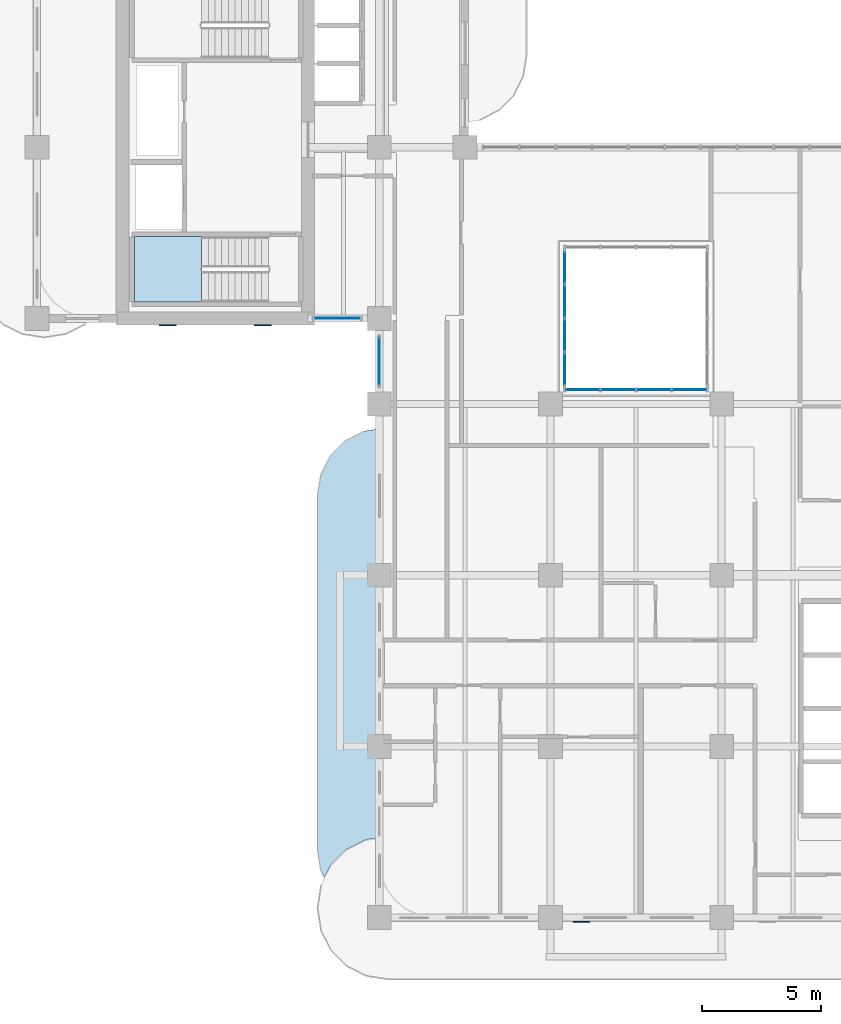
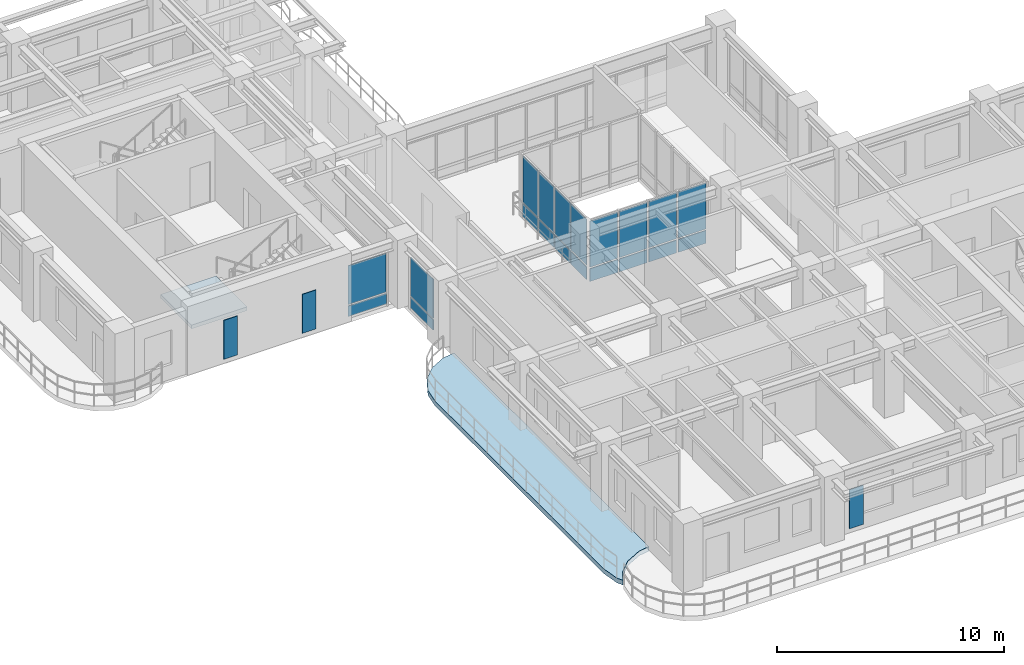
# One storey, part 7 of 20: 23 plates, 2 slabs, 5 elements without a shape of their own.
"""IFC4 building model written with IfcOpenShell, lengths in metres."""

from ifc_helpers import new_model, si_unit, derived_unit, direction, frame, origin, origin_2d, place, context, subcontext, project, spatial, polyline, rectangle, outline, extrude, source, transform, mapped, material, layer, layer_set, type_object, type_shapes, element, aggregate, save


model = new_model("IFC4")

# Units and contexts
model_context = context("Model", 3, precision=1e-05, world=origin(), true_north=direction((0.0, 1.0)))
body_context = subcontext(model_context, "Body", "Model", "MODEL_VIEW")
ifc_project = project(units=[si_unit("LENGTHUNIT", "METRE"), si_unit("AREAUNIT", "SQUARE_METRE"), si_unit("VOLUMEUNIT", "CUBIC_METRE"), si_unit("PLANEANGLEUNIT", "RADIAN"), si_unit("MASSUNIT", "GRAM", prefix="KILO"), si_unit("THERMODYNAMICTEMPERATUREUNIT", "KELVIN"), si_unit("POWERUNIT", "WATT"), derived_unit("THERMALTRANSMITTANCEUNIT", [(si_unit("POWERUNIT", "WATT"), 1), (si_unit("AREAUNIT", "SQUARE_METRE"), -1), (si_unit("THERMODYNAMICTEMPERATUREUNIT", "KELVIN"), -1)])], contexts=[model_context])

# Site, building, storey
site_placement = place(None, origin())
site = spatial("IfcSite", under=ifc_project, at=site_placement, CompositionType="ELEMENT")
building_placement = place(site_placement, origin())
building = spatial("IfcBuilding", under=site, at=building_placement, Name="Zahravan Archway Hotel and Residences", CompositionType="ELEMENT")
storey_placement = place(building_placement, frame((0.0, 0.0, 115.5)))
storey = spatial("IfcBuildingStorey", under=building, at=storey_placement, Name="L28", CompositionType="ELEMENT", Elevation=115.5)

# Slab
ifc_material_1 = material(Name="Concrete C45/55", Category="concrete")
ifc_layer_1 = layer(ifc_material_1, 0.25, Name="Concrete C45/55", Category="concrete")
ifc_layer_set_1 = layer_set([ifc_layer_1], Name="Concrete C45/55")
slab_type_1 = type_object("IfcSlabType", Name="SLB-BALC-250", PredefinedType="FLOOR", material=ifc_layer_set_1)
slab_1_placement = place(storey_placement, frame((0.0, 0.0, -0.25)))
element("IfcSlab", 1, at=slab_1_placement, inside=storey, type_object=slab_type_1, Name="L28 Wing A West Rounded Balcony Band", PredefinedType="FLOOR", context=body_context, shape_type="SweptSolid", body=[
    extrude(outline(polyline([(11.939453125, 1.96923828125), (11.800048828125, 2.85009765625), (11.800048828125, 17.75), (11.939453125, 18.630615234375), (12.34423828125, 19.42529296875), (12.974853515625, 20.0556640625), (13.769287109375, 20.46044921875), (14.3798828125, 20.55712890625), (14.3798828125, 3.361328125), (14.37890625, 3.361328125), (14.376953125, 3.361083984375), (13.835205078125, 3.275390625), (13.833251953125, 3.27490234375), (13.831298828125, 3.2744140625), (13.829345703125, 3.2734375), (13.0068359375, 2.8544921875), (13.005126953125, 2.853515625), (13.00341796875, 2.85205078125), (13.001953125, 2.8505859375), (12.349365234375, 2.197998046875), (12.347900390625, 2.196533203125), (12.3466796875, 2.19482421875), (12.345703125, 2.193115234375), (12.08544921875, 1.6826171875), (11.939453125, 1.96923828125)])), origin(), (0.0, 0.0, 1.0), 0.25),
])

# Stair, slab
ifc_material_2 = material(Name="Concrete C50/60", Category="concrete")
stair_type = type_object("IfcStairType", Name="STR-CORE-1300", PredefinedType="HALF_TURN_STAIR", material=ifc_material_2)
stair_placement = place(storey_placement, origin())
stair = element("IfcStair", 2, at=stair_placement, inside=storey, type_object=stair_type, Name="L28 Core B Exit Stair 1", PredefinedType="HALF_TURN_STAIR")
ifc_layer_2 = layer(ifc_material_2, 0.199951171875, Name="Concrete C50/60", Category="concrete")
ifc_layer_set_2 = layer_set([ifc_layer_2], Name="Concrete C50/60")
slab_type_2 = type_object("IfcSlabType", Name="SLB-LND-200", PredefinedType="LANDING", material=ifc_layer_set_2)
slab_2_placement = place(storey_placement, frame((0.0, 0.0, 1.64990234375)))
slab_2 = element("IfcSlab", 3, at=slab_2_placement, type_object=slab_type_2, Name="ST-B1 landing 1", PredefinedType="LANDING", context=body_context, shape_type="SweptSolid", body=[
    extrude(outline(polyline([(6.929931640625, 28.639892578125), (4.10009765625, 28.639892578125), (4.10009765625, 25.89990234375), (6.929931640625, 25.89990234375), (6.929931640625, 28.639892578125)])), origin(), (0.0, 0.0, 1.0), 0.2001953125),
])
aggregate(stair, [slab_2])

# Plates
ifc_material_3 = material(Name="Perforated Cast Bronze Jali Lattice")
ifc_layer_3 = layer(ifc_material_3, 0.044921875, Name="Perforated Cast Bronze Jali Lattice")
ifc_layer_set_3 = layer_set([ifc_layer_3], Name="Perforated Cast Bronze Jali Lattice")
plate_type_1 = type_object("IfcPlateType", Name="PLT-JALI-BAY", PredefinedType="USERDEFINED", material=ifc_layer_set_3)
shared_shape_1 = source(origin(), body_context, "Body", "SweptSolid", [
    extrude(rectangle(XDim=0.699951171875, YDim=0.044921875, at=origin_2d()), origin(), (0.0, 0.0, 1.0), 2.10009765625),
])
type_shapes(plate_type_1, [shared_shape_1])
for number, where, z_axis, x_axis, name in (
    (4, (5.5, 24.906982421875, 0.25), (0.0, 0.0, 1.0), (1.0, 0.0, 0.0), "L28 Core B South Mughal Jali Screen 1"),
    (5, (9.5, 24.906982421875, 0.25), (0.0, 0.0, 1.0), (1.0, 0.0, 0.0), "L28 Core B South Mughal Jali Screen 2"),
    (6, (22.89990234375, -0.177978515625, 0.25), (0.0, 0.0, 1.0), (1.0, 0.0, 0.0), "L28 Perforated Bronze Jali Pier Screen 01"),
):
    element("IfcPlate", number, at=place(storey_placement, frame(where, z_axis=z_axis, x_axis=x_axis)), inside=storey, type_object=plate_type_1, Name=name, ObjectType="SCREEN", PredefinedType="USERDEFINED", context=body_context, shape_type="MappedRepresentation", body=[
        mapped(shared_shape_1, transform((0.0, 0.0, 0.0), scale=1.0)),
    ])

# Curtain wall, plates
ifc_material_4 = material(Name="Bronze-Anodized Unitised Aluminium & Low-E Glass", Category="aluminium")
ifc_layer_4 = layer(ifc_material_4, 0.179931640625, Name="Bronze-Anodized Unitised Aluminium & Low-E Glass", Category="aluminium")
ifc_layer_set_4 = layer_set([ifc_layer_4], Name="Bronze-Anodized Unitised Aluminium & Low-E Glass")
curtain_wall_type = type_object("IfcCurtainWallType", Name="CW-ATR-GLAZ", PredefinedType="NOTDEFINED", material=ifc_layer_set_4)
curtain_wall_1_placement = place(storey_placement, origin())
curtain_wall_1 = element("IfcCurtainWall", 7, at=curtain_wall_1_placement, inside=storey, type_object=curtain_wall_type, Name="L28 Curtain Wall CW-ATR-L28-S-1", PredefinedType="NOTDEFINED")
ifc_material_5 = material(Name="Insulated Terracotta Spandrel Panel", Category="masonry")
ifc_layer_5 = layer(ifc_material_5, 0.0400390625, Name="Insulated Terracotta Spandrel Panel", Category="masonry")
ifc_layer_set_5 = layer_set([ifc_layer_5], Name="Insulated Terracotta Spandrel Panel")
plate_type_2 = type_object("IfcPlateType", Name="CWP-SPN-40", PredefinedType="SHEET", material=ifc_layer_set_5)
shared_shape_2 = source(origin(), body_context, "Body", "SweptSolid", [
    extrude(rectangle(XDim=1.419921875, YDim=0.0400390625, at=origin_2d()), origin(), (0.0, 0.0, 1.0), 0.68798828125),
])
plate_1_placement = place(storey_placement, frame((22.949951171875, 22.199951171875, 0.10009765625), z_axis=(0.0, 0.0, 1.0), x_axis=(1.0, 0.0, 0.0)))
plate_1 = element("IfcPlate", 8, at=plate_1_placement, type_object=plate_type_2, Name="CW-ATR-L28-S-1 Spandrel Panel 0", PredefinedType="SHEET", context=body_context, shape_type="MappedRepresentation", body=[
    mapped(shared_shape_2, transform((0.0, 0.0, 0.0), scale=1.0)),
])
plate_2_placement = place(storey_placement, frame((24.449951171875, 22.199951171875, 0.10009765625), z_axis=(0.0, 0.0, 1.0), x_axis=(1.0, 0.0, 0.0)))
plate_2 = element("IfcPlate", 9, at=plate_2_placement, type_object=plate_type_2, Name="CW-ATR-L28-S-1 Spandrel Panel 1", PredefinedType="SHEET", context=body_context, shape_type="MappedRepresentation", body=[
    mapped(shared_shape_2, transform((0.0, 0.0, 0.0), scale=1.0)),
])
plate_3_placement = place(storey_placement, frame((25.949951171875, 22.199951171875, 0.10009765625), z_axis=(0.0, 0.0, 1.0), x_axis=(1.0, 0.0, 0.0)))
plate_3 = element("IfcPlate", 10, at=plate_3_placement, type_object=plate_type_2, Name="CW-ATR-L28-S-1 Spandrel Panel 2", PredefinedType="SHEET", context=body_context, shape_type="MappedRepresentation", body=[
    mapped(shared_shape_2, transform((0.0, 0.0, 0.0), scale=1.0)),
])
plate_4_placement = place(storey_placement, frame((27.449951171875, 22.199951171875, 0.10009765625), z_axis=(0.0, 0.0, 1.0), x_axis=(1.0, 0.0, 0.0)))
plate_4 = element("IfcPlate", 11, at=plate_4_placement, type_object=plate_type_2, Name="CW-ATR-L28-S-1 Spandrel Panel 3", PredefinedType="SHEET", context=body_context, shape_type="MappedRepresentation", body=[
    mapped(shared_shape_2, transform((0.0, 0.0, 0.0), scale=1.0)),
])
ifc_material_6 = material(Name="Double-Silver Low-E Insulated Vision Glass", Category="glass")
ifc_layer_6 = layer(ifc_material_6, 0.028076171875, Name="Double-Silver Low-E Insulated Vision Glass", Category="glass")
ifc_layer_set_6 = layer_set([ifc_layer_6], Name="Double-Silver Low-E Insulated Vision Glass")
plate_type_3 = type_object("IfcPlateType", Name="CWP-GLZ-28", PredefinedType="CURTAIN_PANEL", material=ifc_layer_set_6)
shared_shape_3 = source(origin(), body_context, "Body", "SweptSolid", [
    extrude(rectangle(XDim=1.419921875, YDim=0.028076171875, at=origin_2d()), origin(), (0.0, 0.0, 1.0), 2.48193359375),
])
plate_5_placement = place(storey_placement, frame((22.949951171875, 22.199951171875, 0.867919921875), z_axis=(0.0, 0.0, 1.0), x_axis=(1.0, 0.0, 0.0)))
plate_5 = element("IfcPlate", 12, at=plate_5_placement, type_object=plate_type_3, Name="CW-ATR-L28-S-1 Low-E Vision Panel 0", PredefinedType="CURTAIN_PANEL", context=body_context, shape_type="MappedRepresentation", body=[
    mapped(shared_shape_3, transform((0.0, 0.0, 0.0), scale=1.0)),
])
plate_6_placement = place(storey_placement, frame((24.449951171875, 22.199951171875, 0.867919921875), z_axis=(0.0, 0.0, 1.0), x_axis=(1.0, 0.0, 0.0)))
plate_6 = element("IfcPlate", 13, at=plate_6_placement, type_object=plate_type_3, Name="CW-ATR-L28-S-1 Low-E Vision Panel 1", PredefinedType="CURTAIN_PANEL", context=body_context, shape_type="MappedRepresentation", body=[
    mapped(shared_shape_3, transform((0.0, 0.0, 0.0), scale=1.0)),
])
plate_7_placement = place(storey_placement, frame((25.949951171875, 22.199951171875, 0.867919921875), z_axis=(0.0, 0.0, 1.0), x_axis=(1.0, 0.0, 0.0)))
plate_7 = element("IfcPlate", 14, at=plate_7_placement, type_object=plate_type_3, Name="CW-ATR-L28-S-1 Low-E Vision Panel 2", PredefinedType="CURTAIN_PANEL", context=body_context, shape_type="MappedRepresentation", body=[
    mapped(shared_shape_3, transform((0.0, 0.0, 0.0), scale=1.0)),
])
plate_8_placement = place(storey_placement, frame((27.449951171875, 22.199951171875, 0.867919921875), z_axis=(0.0, 0.0, 1.0), x_axis=(1.0, 0.0, 0.0)))
plate_8 = element("IfcPlate", 15, at=plate_8_placement, type_object=plate_type_3, Name="CW-ATR-L28-S-1 Low-E Vision Panel 3", PredefinedType="CURTAIN_PANEL", context=body_context, shape_type="MappedRepresentation", body=[
    mapped(shared_shape_3, transform((0.0, 0.0, 0.0), scale=1.0)),
])
aggregate(curtain_wall_1, [plate_1, plate_5, plate_2, plate_6, plate_3, plate_7, plate_4, plate_8])

curtain_wall_2_placement = place(storey_placement, origin())
curtain_wall_2 = element("IfcCurtainWall", 16, at=curtain_wall_2_placement, inside=storey, type_object=curtain_wall_type, Name="L28 Curtain Wall CW-ATR-L28-W-1", PredefinedType="NOTDEFINED")
shared_shape_4 = source(origin(), body_context, "Body", "SweptSolid", [
    extrude(rectangle(XDim=1.344970703125, YDim=0.0400390625, at=origin_2d()), origin(), (0.0, 0.0, 1.0), 0.68798828125),
])
plate_9_placement = place(storey_placement, frame((22.199951171875, 23.0625, 0.10009765625), z_axis=(0.0, 0.0, 1.0), x_axis=(0.0, 1.0, 0.0)))
plate_9 = element("IfcPlate", 17, at=plate_9_placement, type_object=plate_type_2, Name="CW-ATR-L28-W-1 Spandrel Panel 0", PredefinedType="SHEET", context=body_context, shape_type="MappedRepresentation", body=[
    mapped(shared_shape_4, transform((0.0, 0.0, 0.0), scale=1.0)),
])
plate_10_placement = place(storey_placement, frame((22.199951171875, 24.487548828125, 0.10009765625), z_axis=(0.0, 0.0, 1.0), x_axis=(0.0, 1.0, 0.0)))
plate_10 = element("IfcPlate", 18, at=plate_10_placement, type_object=plate_type_2, Name="CW-ATR-L28-W-1 Spandrel Panel 1", PredefinedType="SHEET", context=body_context, shape_type="MappedRepresentation", body=[
    mapped(shared_shape_4, transform((0.0, 0.0, 0.0), scale=1.0)),
])
plate_11_placement = place(storey_placement, frame((22.199951171875, 25.91259765625, 0.10009765625), z_axis=(0.0, 0.0, 1.0), x_axis=(0.0, 1.0, 0.0)))
plate_11 = element("IfcPlate", 19, at=plate_11_placement, type_object=plate_type_2, Name="CW-ATR-L28-W-1 Spandrel Panel 2", PredefinedType="SHEET", context=body_context, shape_type="MappedRepresentation", body=[
    mapped(shared_shape_4, transform((0.0, 0.0, 0.0), scale=1.0)),
])
plate_12_placement = place(storey_placement, frame((22.199951171875, 27.33740234375, 0.10009765625), z_axis=(0.0, 0.0, 1.0), x_axis=(0.0, 1.0, 0.0)))
plate_12 = element("IfcPlate", 20, at=plate_12_placement, type_object=plate_type_2, Name="CW-ATR-L28-W-1 Spandrel Panel 3", PredefinedType="SHEET", context=body_context, shape_type="MappedRepresentation", body=[
    mapped(shared_shape_4, transform((0.0, 0.0, 0.0), scale=1.0)),
])
shared_shape_5 = source(origin(), body_context, "Body", "SweptSolid", [
    extrude(rectangle(XDim=1.344970703125, YDim=0.028076171875, at=origin_2d()), origin(), (0.0, 0.0, 1.0), 2.48193359375),
])
plate_13_placement = place(storey_placement, frame((22.199951171875, 23.0625, 0.867919921875), z_axis=(0.0, 0.0, 1.0), x_axis=(0.0, 1.0, 0.0)))
plate_13 = element("IfcPlate", 21, at=plate_13_placement, type_object=plate_type_3, Name="CW-ATR-L28-W-1 Low-E Vision Panel 0", PredefinedType="CURTAIN_PANEL", context=body_context, shape_type="MappedRepresentation", body=[
    mapped(shared_shape_5, transform((0.0, 0.0, 0.0), scale=1.0)),
])
plate_14_placement = place(storey_placement, frame((22.199951171875, 24.487548828125, 0.867919921875), z_axis=(0.0, 0.0, 1.0), x_axis=(0.0, 1.0, 0.0)))
plate_14 = element("IfcPlate", 22, at=plate_14_placement, type_object=plate_type_3, Name="CW-ATR-L28-W-1 Low-E Vision Panel 1", PredefinedType="CURTAIN_PANEL", context=body_context, shape_type="MappedRepresentation", body=[
    mapped(shared_shape_5, transform((0.0, 0.0, 0.0), scale=1.0)),
])
plate_15_placement = place(storey_placement, frame((22.199951171875, 25.91259765625, 0.867919921875), z_axis=(0.0, 0.0, 1.0), x_axis=(0.0, 1.0, 0.0)))
plate_15 = element("IfcPlate", 23, at=plate_15_placement, type_object=plate_type_3, Name="CW-ATR-L28-W-1 Low-E Vision Panel 2", PredefinedType="CURTAIN_PANEL", context=body_context, shape_type="MappedRepresentation", body=[
    mapped(shared_shape_5, transform((0.0, 0.0, 0.0), scale=1.0)),
])
plate_16_placement = place(storey_placement, frame((22.199951171875, 27.33740234375, 0.867919921875), z_axis=(0.0, 0.0, 1.0), x_axis=(0.0, 1.0, 0.0)))
plate_16 = element("IfcPlate", 24, at=plate_16_placement, type_object=plate_type_3, Name="CW-ATR-L28-W-1 Low-E Vision Panel 3", PredefinedType="CURTAIN_PANEL", context=body_context, shape_type="MappedRepresentation", body=[
    mapped(shared_shape_5, transform((0.0, 0.0, 0.0), scale=1.0)),
])
aggregate(curtain_wall_2, [plate_9, plate_13, plate_10, plate_14, plate_11, plate_15, plate_12, plate_16])

curtain_wall_3_placement = place(storey_placement, origin())
curtain_wall_3 = element("IfcCurtainWall", 25, at=curtain_wall_3_placement, inside=storey, type_object=curtain_wall_type, Name="L28 Curtain Wall CW-L28-WA-WLU-1", PredefinedType="NOTDEFINED")
shared_shape_6 = source(origin(), body_context, "Body", "SweptSolid", [
    extrude(rectangle(XDim=2.0, YDim=0.0400390625, at=origin_2d()), origin(), (0.0, 0.0, 1.0), 0.564453125),
])
plate_17_placement = place(storey_placement, frame((14.39990234375, 23.39990234375, 0.099853515625), z_axis=(0.0, 0.0, 1.0), x_axis=(0.0, 1.0, 0.0)))
plate_17 = element("IfcPlate", 26, at=plate_17_placement, type_object=plate_type_2, Name="CW-L28-WA-WLU-1 Spandrel Panel 0", PredefinedType="SHEET", context=body_context, shape_type="MappedRepresentation", body=[
    mapped(shared_shape_6, transform((0.0, 0.0, 0.0), scale=1.0)),
])
shared_shape_7 = source(origin(), body_context, "Body", "SweptSolid", [
    extrude(rectangle(XDim=2.0, YDim=0.028076171875, at=origin_2d()), origin(), (0.0, 0.0, 1.0), 2.090576171875),
])
plate_18_placement = place(storey_placement, frame((14.39990234375, 23.39990234375, 0.74462890625), z_axis=(0.0, 0.0, 1.0), x_axis=(0.0, 1.0, 0.0)))
plate_18 = element("IfcPlate", 27, at=plate_18_placement, type_object=plate_type_3, Name="CW-L28-WA-WLU-1 Low-E Vision Panel 0", PredefinedType="CURTAIN_PANEL", context=body_context, shape_type="MappedRepresentation", body=[
    mapped(shared_shape_7, transform((0.0, 0.0, 0.0), scale=1.0)),
])
aggregate(curtain_wall_3, [plate_17, plate_18])

curtain_wall_4_placement = place(storey_placement, origin())
curtain_wall_4 = element("IfcCurtainWall", 28, at=curtain_wall_4_placement, inside=storey, type_object=curtain_wall_type, Name="L28 Curtain Wall CW-L28-WB-SE-1", PredefinedType="NOTDEFINED")
shared_shape_8 = source(origin(), body_context, "Body", "SweptSolid", [
    extrude(rectangle(XDim=1.93994140625, YDim=0.0400390625, at=origin_2d()), origin(), (0.0, 0.0, 1.0), 0.564453125),
])
plate_19_placement = place(storey_placement, frame((12.6298828125, 25.199951171875, 0.099853515625), z_axis=(0.0, 0.0, 1.0), x_axis=(1.0, 0.0, 0.0)))
plate_19 = element("IfcPlate", 29, at=plate_19_placement, type_object=plate_type_2, Name="CW-L28-WB-SE-1 Spandrel Panel 0", PredefinedType="SHEET", context=body_context, shape_type="MappedRepresentation", body=[
    mapped(shared_shape_8, transform((0.0, 0.0, 0.0), scale=1.0)),
])
shared_shape_9 = source(origin(), body_context, "Body", "SweptSolid", [
    extrude(rectangle(XDim=1.93994140625, YDim=0.028076171875, at=origin_2d()), origin(), (0.0, 0.0, 1.0), 2.090576171875),
])
plate_20_placement = place(storey_placement, frame((12.6298828125, 25.199951171875, 0.74462890625), z_axis=(0.0, 0.0, 1.0), x_axis=(1.0, 0.0, 0.0)))
plate_20 = element("IfcPlate", 30, at=plate_20_placement, type_object=plate_type_3, Name="CW-L28-WB-SE-1 Low-E Vision Panel 0", PredefinedType="CURTAIN_PANEL", context=body_context, shape_type="MappedRepresentation", body=[
    mapped(shared_shape_9, transform((0.0, 0.0, 0.0), scale=1.0)),
])
aggregate(curtain_wall_4, [plate_19, plate_20])

save(model, "model.ifc")
